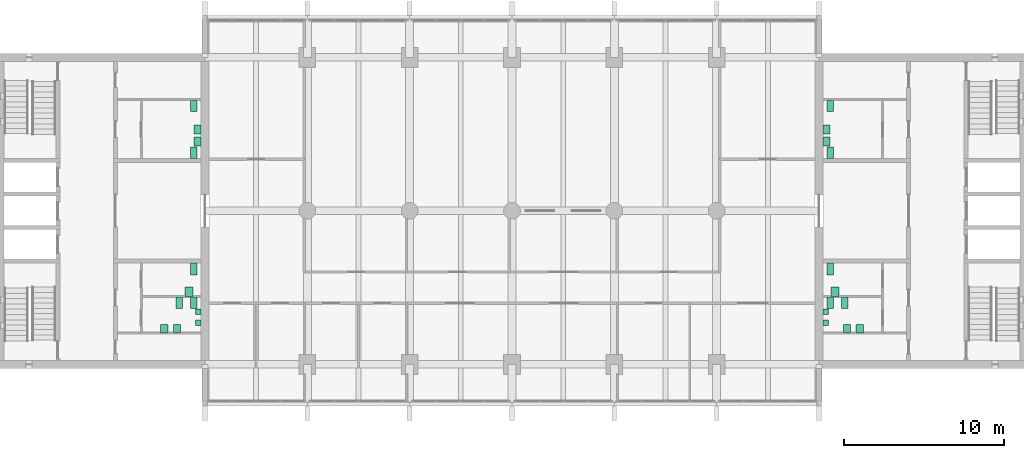
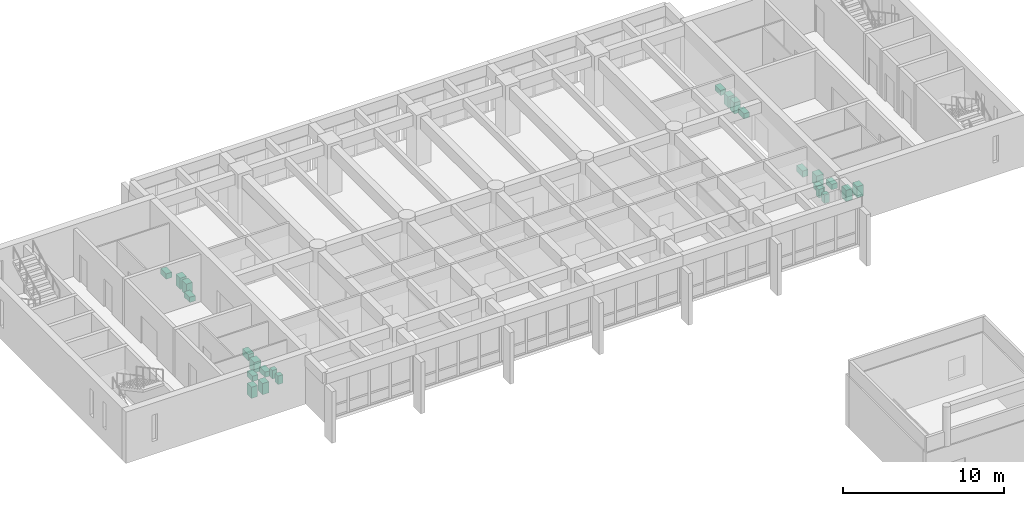
# One storey, part 19 of 19: 24 sanitary terminals.
"""IFC4 building model written with IfcOpenShell, lengths in metres."""

from ifc_helpers import new_model, si_unit, direction, frame, origin, origin_2d, place, context, subcontext, project, spatial, rectangle, extrude, material, type_object, element, save


model = new_model("IFC4")

# Units and contexts
model_context = context("Model", 3, precision=1e-05, world=origin(), true_north=direction((0.0, 1.0)))
body_context = subcontext(model_context, "Body", "Model", "MODEL_VIEW")
ifc_project = project(units=[si_unit("LENGTHUNIT", "METRE"), si_unit("AREAUNIT", "SQUARE_METRE"), si_unit("VOLUMEUNIT", "CUBIC_METRE"), si_unit("PLANEANGLEUNIT", "RADIAN"), si_unit("MASSUNIT", "GRAM", prefix="KILO")], contexts=[model_context])

# Site, building, storey
site_placement = place(None, origin())
site = spatial("IfcSite", under=ifc_project, at=site_placement, CompositionType="ELEMENT")
building_placement = place(site_placement, origin())
building = spatial("IfcBuilding", under=site, at=building_placement, Name="Fogon Plaza Fire Station and Headquarters Tower", CompositionType="ELEMENT")
storey_placement = place(building_placement, frame((0.0, 0.0, 24.89990234375)))
storey = spatial("IfcBuildingStorey", under=building, at=storey_placement, Name="L06", CompositionType="ELEMENT", Elevation=24.89990234375)

# Sanitary terminals
ifc_material_1 = material(Name="Vitreous china")
sanitary_terminal_type_1 = type_object("IfcSanitaryTerminalType", Name="Accessible Hand Basin 600x500", PredefinedType="WASHHANDBASIN", material=ifc_material_1)
for number, where, z_axis, x_axis, name in (
    (1, (24.60009765625, 38.14990234375, 0.0), (0.0, 0.0, 1.0), (1.0, 0.0, 0.0), "Accessible Hand Basin"),
    (2, (65.0, 38.14990234375, 0.0), (0.0, 0.0, 1.0), (1.0, 0.0, 0.0), "Accessible Hand Basin"),
):
    element("IfcSanitaryTerminal", number, at=place(storey_placement, frame(where, z_axis=z_axis, x_axis=x_axis)), inside=storey, type_object=sanitary_terminal_type_1, Name=name, PredefinedType="WASHHANDBASIN", context=body_context, shape_type="SweptSolid", body=[
        extrude(rectangle(XDim=0.5, YDim=0.60009765625, at=origin_2d()), origin(), (0.0, 0.0, 1.0), 0.800048828125),
    ])
ifc_material_2 = material(Name="Vitreous china")
sanitary_terminal_type_2 = type_object("IfcSanitaryTerminalType", Name="Accessible WC Pan 400x750", PredefinedType="TOILETPAN", material=ifc_material_2)
for number, where, z_axis, x_axis, name in (
    (3, (24.89990234375, 39.550048828125, 0.0), (0.0, 0.0, 1.0), (1.0, 0.0, 0.0), "Accessible WC Pan"),
    (4, (64.699951171875, 39.550048828125, 0.0), (0.0, 0.0, 1.0), (1.0, 0.0, 0.0), "Accessible WC Pan"),
):
    element("IfcSanitaryTerminal", number, at=place(storey_placement, frame(where, z_axis=z_axis, x_axis=x_axis)), inside=storey, type_object=sanitary_terminal_type_2, Name=name, PredefinedType="TOILETPAN", context=body_context, shape_type="SweptSolid", body=[
        extrude(rectangle(XDim=0.39990234375, YDim=0.75, at=origin_2d()), origin(), (0.0, 0.0, 1.0), 0.47998046875),
    ])
ifc_material_3 = material(Name="Vitreous china")
sanitary_terminal_type_3 = type_object("IfcSanitaryTerminalType", Name="Hand Basin 550x450", PredefinedType="WASHHANDBASIN", material=ifc_material_3)
for number, where, z_axis, x_axis, name in (
    (5, (23.85009765625, 35.824951171875, 0.0), (0.0, 0.0, 1.0), (1.0, 0.0, 0.0), "Hand Basin"),
    (6, (23.050048828125, 35.824951171875, 0.0), (0.0, 0.0, 1.0), (1.0, 0.0, 0.0), "Hand Basin"),
    (7, (25.125, 47.52490234375, 0.0), (0.0, 0.0, 1.0), (1.0, 0.0, 0.0), "Hand Basin"),
    (8, (25.125, 48.27490234375, 0.0), (0.0, 0.0, 1.0), (1.0, 0.0, 0.0), "Hand Basin"),
    (9, (65.75, 35.824951171875, 0.0), (0.0, 0.0, 1.0), (1.0, 0.0, 0.0), "Hand Basin"),
    (10, (66.550048828125, 35.824951171875, 0.0), (0.0, 0.0, 1.0), (1.0, 0.0, 0.0), "Hand Basin"),
    (11, (64.47509765625, 47.52490234375, 0.0), (0.0, 0.0, 1.0), (1.0, 0.0, 0.0), "Hand Basin"),
    (12, (64.47509765625, 48.27490234375, 0.0), (0.0, 0.0, 1.0), (1.0, 0.0, 0.0), "Hand Basin"),
):
    element("IfcSanitaryTerminal", number, at=place(storey_placement, frame(where, z_axis=z_axis, x_axis=x_axis)), inside=storey, type_object=sanitary_terminal_type_3, Name=name, PredefinedType="WASHHANDBASIN", context=body_context, shape_type="SweptSolid", body=[
        extrude(rectangle(XDim=0.449951171875, YDim=0.550048828125, at=origin_2d()), origin(), (0.0, 0.0, 1.0), 0.85009765625),
    ])
ifc_material_4 = material(Name="Vitreous china")
sanitary_terminal_type_4 = type_object("IfcSanitaryTerminalType", Name="Urinal 350x350", PredefinedType="URINAL", material=ifc_material_4)
for number, where, z_axis, x_axis, name in (
    (13, (25.175048828125, 36.199951171875, 0.000244140625), (0.0, 0.0, 1.0), (1.0, 0.0, 0.0), "Urinal"),
    (14, (25.175048828125, 36.89990234375, 0.000244140625), (0.0, 0.0, 1.0), (1.0, 0.0, 0.0), "Urinal"),
    (15, (64.425048828125, 36.199951171875, 0.000244140625), (0.0, 0.0, 1.0), (1.0, 0.0, 0.0), "Urinal"),
    (16, (64.425048828125, 36.89990234375, 0.000244140625), (0.0, 0.0, 1.0), (1.0, 0.0, 0.0), "Urinal"),
):
    element("IfcSanitaryTerminal", number, at=place(storey_placement, frame(where, z_axis=z_axis, x_axis=x_axis)), inside=storey, type_object=sanitary_terminal_type_4, Name=name, PredefinedType="URINAL", context=body_context, shape_type="SweptSolid", body=[
        extrude(rectangle(XDim=0.35009765625, YDim=0.35009765625, at=origin_2d()), origin(), (0.0, 0.0, 1.0), 0.64990234375),
    ])
ifc_material_5 = material(Name="Vitreous china")
sanitary_terminal_type_5 = type_object("IfcSanitaryTerminalType", Name="WC Pan 400x700", PredefinedType="TOILETPAN", material=ifc_material_5)
for number, where, z_axis, x_axis, name in (
    (17, (24.89990234375, 37.449951171875, 0.000244140625), (0.0, 0.0, 1.0), (1.0, 0.0, 0.0), "WC Pan"),
    (18, (24.0, 37.449951171875, 0.000244140625), (0.0, 0.0, 1.0), (1.0, 0.0, 0.0), "WC Pan"),
    (19, (24.89990234375, 49.75, 0.000244140625), (0.0, 0.0, 1.0), (1.0, 0.0, 0.0), "WC Pan"),
    (20, (24.89990234375, 46.824951171875, 0.000244140625), (0.0, 0.0, 1.0), (1.0, 0.0, 0.0), "WC Pan"),
    (21, (64.699951171875, 37.449951171875, 0.000244140625), (0.0, 0.0, 1.0), (1.0, 0.0, 0.0), "WC Pan"),
    (22, (65.60009765625, 37.449951171875, 0.000244140625), (0.0, 0.0, 1.0), (1.0, 0.0, 0.0), "WC Pan"),
    (23, (64.699951171875, 49.75, 0.000244140625), (0.0, 0.0, 1.0), (1.0, 0.0, 0.0), "WC Pan"),
    (24, (64.699951171875, 46.824951171875, 0.000244140625), (0.0, 0.0, 1.0), (1.0, 0.0, 0.0), "WC Pan"),
):
    element("IfcSanitaryTerminal", number, at=place(storey_placement, frame(where, z_axis=z_axis, x_axis=x_axis)), inside=storey, type_object=sanitary_terminal_type_5, Name=name, PredefinedType="TOILETPAN", context=body_context, shape_type="SweptSolid", body=[
        extrude(rectangle(XDim=0.39990234375, YDim=0.699951171875, at=origin_2d()), origin(), (0.0, 0.0, 1.0), 0.39990234375),
    ])

save(model, "model.ifc")
